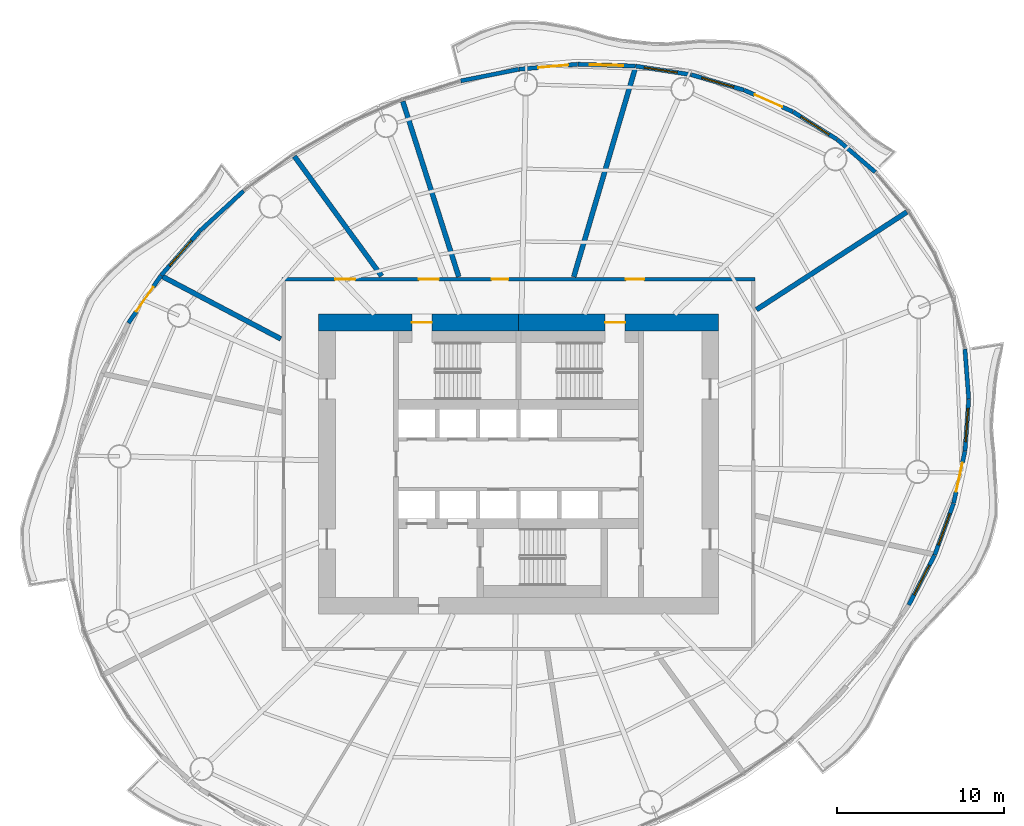
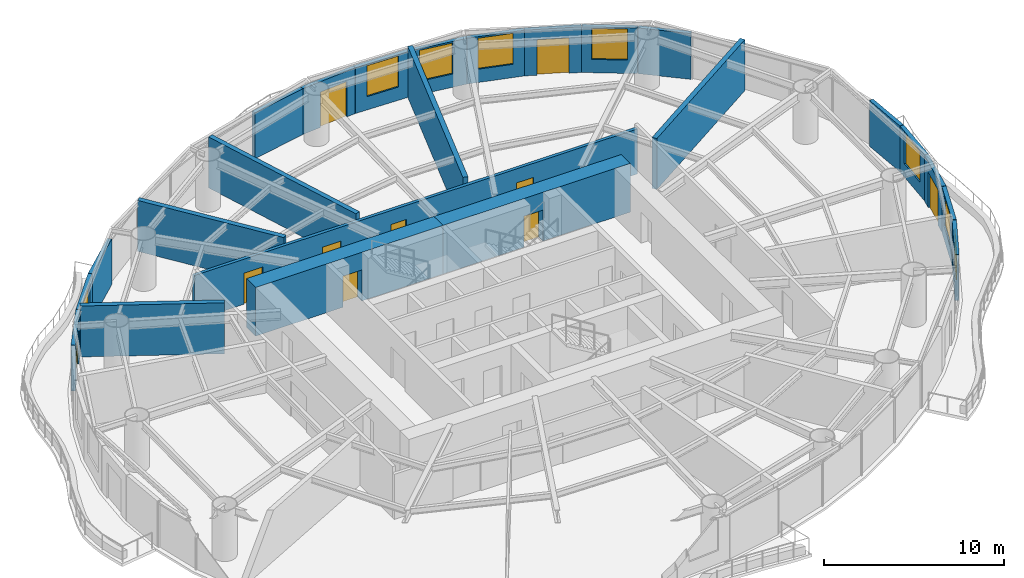
# One storey, part 10 of 14: 24 walls, 10 doors, 8 windows, 18 openings.
"""IFC4 building model written with IfcOpenShell, lengths in metres."""

from ifc_helpers import new_model, si_unit, direction, frame, frame_2d, origin, place, context, subcontext, project, spatial, rectangle, extrude, material, layer, layer_set, type_object, element, fill, save


model = new_model("IFC4")

# Units and contexts
model_context = context("Model", 3, precision=1e-05, world=origin(), true_north=direction((0.0, 1.0)))
body_context = subcontext(model_context, "Body", "Model", "MODEL_VIEW")
ifc_project = project(units=[si_unit("LENGTHUNIT", "METRE"), si_unit("AREAUNIT", "SQUARE_METRE"), si_unit("VOLUMEUNIT", "CUBIC_METRE"), si_unit("PLANEANGLEUNIT", "RADIAN"), si_unit("MASSUNIT", "GRAM", prefix="KILO")], contexts=[model_context])

# Site, building, storey
site_placement = place(None, origin())
site = spatial("IfcSite", under=ifc_project, at=site_placement, CompositionType="ELEMENT")
building_placement = place(site_placement, origin())
building = spatial("IfcBuilding", under=site, at=building_placement, Name="Vermilion Reach Broadcast Tower", CompositionType="ELEMENT")
storey_placement = place(building_placement, frame((0.0, 0.0, 143.39990234375)))
storey = spatial("IfcBuildingStorey", under=building, at=storey_placement, Name="L33", CompositionType="ELEMENT", Elevation=143.39990234375)

# Wall, opening, door
ifc_material_1 = material(Name="Concrete C70", Category="concrete")
ifc_layer_1 = layer(ifc_material_1, 1.0)
ifc_layer_set_1 = layer_set([ifc_layer_1], Name="Core outer wall 1000 mm Concrete C70")
wall_type_1 = type_object("IfcWallType", Name="Core outer wall 1000 mm Concrete C70", PredefinedType="SHEAR", material=ifc_layer_set_1)
wall_1_placement = place(storey_placement, frame((6.0, 8.5, 0.0), z_axis=(0.0, 0.0, 1.0), x_axis=(-1.0, 0.0, 0.0)))
wall_1 = element("IfcWall", 1, at=wall_1_placement, inside=storey, type_object=wall_type_1, Name="L33 core wall onE", PredefinedType="SHEAR", context=body_context, shape_type="SweptSolid", body=[
    extrude(rectangle(XDim=12.0, YDim=1.0, at=frame_2d((6.0, 0.0))), origin(), (0.0, 0.0, 1.0), 3.300048828125),
])
opening_1_placement = place(wall_1_placement, frame((5.60009765625, 0.0, 0.0)))
opening_1 = element("IfcOpeningElement", 2, at=opening_1_placement, cuts=wall_1, Name="Opening D01", PredefinedType="OPENING", context=body_context, shape_type="SweptSolid", body=[
    extrude(rectangle(XDim=1.199951171875, YDim=2.10009765625, at=frame_2d((0.60009765625, 1.050048828125))), frame((0.0, 0.510009765625, 0.0), z_axis=(0.0, -1.0, 0.0), x_axis=(1.0, 0.0, 0.0)), (0.0, 0.0, 1.0), 1.02001953125),
])
ifc_material_2 = material(Name="Painted steel fire door", Category="steel")
door_type_1 = type_object("IfcDoorType", Name="Stair door 1200 x 2100", OperationType="DOUBLE_DOOR_SINGLE_SWING", PredefinedType="NOTDEFINED", material=ifc_material_2)
door_1_placement = place(opening_1_placement, origin())
door_1 = element("IfcDoor", 3, at=door_1_placement, inside=storey, type_object=door_type_1, Name="L33 stair door ST2", OperationType="DOUBLE_DOOR_SINGLE_SWING", OverallHeight=2.10009765625, OverallWidth=1.199951171875, PredefinedType="NOTDEFINED", context=body_context, shape_type="SweptSolid", body=[
    extrude(rectangle(XDim=1.199951171875, YDim=2.10009765625, at=frame_2d((0.60009765625, 1.050048828125))), frame((0.0, 0.02490234375, 0.0), z_axis=(0.0, -1.0, 0.0), x_axis=(1.0, 0.0, 0.0)), (0.0, 0.0, 1.0), 0.050048828125),
])
fill(opening_1, door_1)

wall_2_placement = place(storey_placement, frame((-6.0, 8.5, 0.0), z_axis=(0.0, 0.0, 1.0), x_axis=(-1.0, 0.0, 0.0)))
wall_2 = element("IfcWall", 4, at=wall_2_placement, inside=storey, type_object=wall_type_1, Name="L33 core wall onW", PredefinedType="SHEAR", context=body_context, shape_type="SweptSolid", body=[
    extrude(rectangle(XDim=12.0, YDim=1.0, at=frame_2d((6.0, 0.0))), origin(), (0.0, 0.0, 1.0), 3.300048828125),
])
opening_2_placement = place(wall_2_placement, frame((5.199951171875, 0.0, 0.0)))
opening_2 = element("IfcOpeningElement", 5, at=opening_2_placement, cuts=wall_2, Name="Opening D01", PredefinedType="OPENING", context=body_context, shape_type="SweptSolid", body=[
    extrude(rectangle(XDim=1.199951171875, YDim=2.10009765625, at=frame_2d((0.60009765625, 1.050048828125))), frame((0.0, 0.510009765625, 0.0), z_axis=(0.0, -1.0, 0.0), x_axis=(1.0, 0.0, 0.0)), (0.0, 0.0, 1.0), 1.02001953125),
])
door_2_placement = place(opening_2_placement, origin())
door_2 = element("IfcDoor", 6, at=door_2_placement, inside=storey, type_object=door_type_1, Name="L33 stair door ST1", OperationType="DOUBLE_DOOR_SINGLE_SWING", OverallHeight=2.10009765625, OverallWidth=1.199951171875, PredefinedType="NOTDEFINED", context=body_context, shape_type="SweptSolid", body=[
    extrude(rectangle(XDim=1.199951171875, YDim=2.10009765625, at=frame_2d((0.60009765625, 1.050048828125))), frame((0.0, 0.02490234375, 0.0), z_axis=(0.0, -1.0, 0.0), x_axis=(1.0, 0.0, 0.0)), (0.0, 0.0, 1.0), 0.050048828125),
])
fill(opening_2, door_2)

# Walls
ifc_material_3 = material(Name="Double-leaf plasterboard on isolated steel stud", Category="steel")
ifc_layer_2 = layer(ifc_material_3, 0.300048828125)
ifc_layer_set_2 = layer_set([ifc_layer_2], Name="Partition 300 acoustic double leaf")
wall_type_2 = type_object("IfcWallType", Name="Partition 300 acoustic double leaf", PredefinedType="PARTITIONING", material=ifc_layer_set_2)
wall_3_placement = place(storey_placement, frame((17.310546875, 15.13330078125, 0.0), z_axis=(0.0, 0.0, 1.0), x_axis=(-0.838747133414, -0.544521116385, 0.0)))
element("IfcWall", 7, at=wall_3_placement, inside=storey, type_object=wall_type_2, Name="Partition 33.01", PredefinedType="PARTITIONING", context=body_context, shape_type="SweptSolid", body=[
    extrude(rectangle(XDim=10.7646484375, YDim=0.300048828125, at=frame_2d((5.38232421875, 0.0))), origin(), (0.0, 0.0, 1.0), 3.4501953125),
])
wall_4_placement = place(storey_placement, frame((1.00830078125, 23.772705078125, 0.0), z_axis=(0.0, 0.0, 1.0), x_axis=(-0.282780437721, -0.959184666288, 0.0)))
element("IfcWall", 8, at=wall_4_placement, inside=storey, type_object=wall_type_2, Name="Partition 33.02", PredefinedType="PARTITIONING", context=body_context, shape_type="SweptSolid", body=[
    extrude(rectangle(XDim=13.0634765625, YDim=0.300048828125, at=frame_2d((6.53173828125, 0.0))), origin(), (0.0, 0.0, 1.0), 3.4501953125),
])
wall_5_placement = place(storey_placement, frame((-12.948974609375, 21.777099609375, 0.0), z_axis=(0.0, 0.0, 1.0), x_axis=(0.303997528194, -0.952672820465, 0.0)))
element("IfcWall", 9, at=wall_5_placement, inside=storey, type_object=wall_type_2, Name="Partition 33.03", PredefinedType="PARTITIONING", context=body_context, shape_type="SweptSolid", body=[
    extrude(rectangle(XDim=11.0546875, YDim=0.300048828125, at=frame_2d((5.52734375, 0.0))), origin(), (0.0, 0.0, 1.0), 3.4501953125),
])
wall_6_placement = place(storey_placement, frame((-19.456298828125, 18.478515625, 0.0), z_axis=(0.0, 0.0, 1.0), x_axis=(0.588675883511, -0.808369163299, 0.0)))
element("IfcWall", 10, at=wall_6_placement, inside=storey, type_object=wall_type_2, Name="Partition 33.04", PredefinedType="PARTITIONING", context=body_context, shape_type="SweptSolid", body=[
    extrude(rectangle(XDim=8.894775390625, YDim=0.300048828125, at=frame_2d((4.447265625, 0.0))), origin(), (0.0, 0.0, 1.0), 3.4501953125),
])
wall_7_placement = place(storey_placement, frame((-27.3623046875, 11.253662109375, 0.0), z_axis=(0.0, 0.0, 1.0), x_axis=(0.884735817221, -0.466092838098, 0.0)))
element("IfcWall", 11, at=wall_7_placement, inside=storey, type_object=wall_type_2, Name="Partition 33.05", PredefinedType="PARTITIONING", context=body_context, shape_type="SweptSolid", body=[
    extrude(rectangle(XDim=8.016357421875, YDim=0.300048828125, at=frame_2d((4.00830078125, 0.0))), origin(), (0.0, 0.0, 1.0), 3.4501953125),
])
ifc_material_4 = material(Name="Terracotta rainscreen cladding", Category="masonry")
ifc_layer_3 = layer(ifc_material_4, 0.25)
ifc_layer_set_3 = layer_set([ifc_layer_3], Name="Terracotta rainscreen wall 250")
wall_type_3 = type_object("IfcWallType", Name="Terracotta rainscreen wall 250", PredefinedType="SOLIDWALL", material=ifc_layer_set_3)
wall_8_placement = place(storey_placement, frame((15.411376953125, 17.533935546875, 0.0), z_axis=(0.0, 0.0, 1.0), x_axis=(-0.75908968864, 0.650986055611, 0.0)))
element("IfcWall", 12, at=wall_8_placement, inside=storey, type_object=wall_type_3, Name="External wall L33 02", PredefinedType="SOLIDWALL", context=body_context, shape_type="SweptSolid", body=[
    extrude(rectangle(XDim=2.99462890625, YDim=0.25, at=frame_2d((1.497314453125, 0.0))), origin(), (0.0, 0.0, 1.0), 3.10009765625),
])

# Wall, opening, window
wall_9_placement = place(storey_placement, frame((13.11669921875, 19.499267578125, 0.0), z_axis=(0.0, 0.0, 1.0), x_axis=(-0.847326168921, 0.531072841954, 0.0)))
wall_9 = element("IfcWall", 13, at=wall_9_placement, inside=storey, type_object=wall_type_3, Name="External wall L33 03", PredefinedType="SOLIDWALL", context=body_context, shape_type="SweptSolid", body=[
    extrude(rectangle(XDim=3.10498046875, YDim=0.25, at=frame_2d((1.552490234375, 0.0))), origin(), (0.0, 0.0, 1.0), 3.10009765625),
])
opening_3_placement = place(wall_9_placement, frame((0.552490234375, 0.0, 0.89990234375)))
opening_3 = element("IfcOpeningElement", 14, at=opening_3_placement, cuts=wall_9, Name="Opening W03", PredefinedType="OPENING", context=body_context, shape_type="SweptSolid", body=[
    extrude(rectangle(XDim=2.0, YDim=2.10009765625, at=frame_2d((1.0, 1.050048828125))), frame((0.0, 0.135009765625, 0.0), z_axis=(0.0, -1.0, 0.0), x_axis=(1.0, 0.0, 0.0)), (0.0, 0.0, 1.0), 0.27001953125),
])
ifc_material_5 = material(Name="Low-e laminated clear glass in aluminium frame", Category="aluminium")
window_type = type_object("IfcWindowType", Name="Punched window 2000 x 2100 sill 900", PartitioningType="SINGLE_PANEL", PredefinedType="WINDOW", material=ifc_material_5)
window_1_placement = place(opening_3_placement, origin())
window_1 = element("IfcWindow", 15, at=window_1_placement, inside=storey, type_object=window_type, Name="Window L33 03", OverallHeight=2.10009765625, OverallWidth=2.0, PartitioningType="SINGLE_PANEL", PredefinedType="WINDOW", context=body_context, shape_type="SweptSolid", body=[
    extrude(rectangle(XDim=2.0, YDim=2.10009765625, at=frame_2d((1.0, 1.050048828125))), frame((0.0, 0.030029296875, 0.0), z_axis=(0.0, -1.0, 0.0), x_axis=(1.0, 0.0, 0.0)), (0.0, 0.0, 1.0), 0.06005859375),
])
fill(opening_3, window_1)

# Wall, opening, door
wall_10_placement = place(storey_placement, frame((10.463134765625, 21.160400390625, 0.0), z_axis=(0.0, 0.0, 1.0), x_axis=(-0.91407040375, 0.405555541188, 0.0)))
wall_10 = element("IfcWall", 16, at=wall_10_placement, inside=storey, type_object=wall_type_3, Name="External wall L33 04", PredefinedType="SOLIDWALL", context=body_context, shape_type="SweptSolid", body=[
    extrude(rectangle(XDim=3.18701171875, YDim=0.25, at=frame_2d((1.593505859375, 0.0))), origin(), (0.0, 0.0, 1.0), 3.10009765625),
])
opening_4_placement = place(wall_10_placement, frame((0.693115234375, 0.0, 0.0)))
opening_4 = element("IfcOpeningElement", 17, at=opening_4_placement, cuts=wall_10, Name="Opening D70", PredefinedType="OPENING", context=body_context, shape_type="SweptSolid", body=[
    extrude(rectangle(XDim=1.800048828125, YDim=2.39990234375, at=frame_2d((0.89990234375, 1.199951171875))), frame((0.0, 0.135009765625, 0.0), z_axis=(0.0, -1.0, 0.0), x_axis=(1.0, 0.0, 0.0)), (0.0, 0.0, 1.0), 0.27001953125),
])
ifc_material_6 = material(Name="Low-e laminated clear glass in aluminium frame", Category="aluminium")
door_type_2 = type_object("IfcDoorType", Name="Balcony sliding door 1800 x 2400", OperationType="DOUBLE_DOOR_SLIDING", PredefinedType="DOOR", material=ifc_material_6)
door_3_placement = place(opening_4_placement, origin())
door_3 = element("IfcDoor", 18, at=door_3_placement, inside=storey, type_object=door_type_2, Name="Balcony door L33 run 01", OperationType="DOUBLE_DOOR_SLIDING", OverallHeight=2.39990234375, OverallWidth=1.800048828125, PredefinedType="DOOR", context=body_context, shape_type="SweptSolid", body=[
    extrude(rectangle(XDim=1.800048828125, YDim=2.39990234375, at=frame_2d((0.89990234375, 1.199951171875))), frame((0.0, 0.02490234375, 0.0), z_axis=(0.0, -1.0, 0.0), x_axis=(1.0, 0.0, 0.0)), (0.0, 0.0, 1.0), 0.050048828125),
])
fill(opening_4, door_3)

# Wall, opening, window
wall_11_placement = place(storey_placement, frame((7.526611328125, 22.461181640625, 0.0), z_axis=(0.0, 0.0, 1.0), x_axis=(-0.960393845313, 0.278646123041, 0.0)))
wall_11 = element("IfcWall", 19, at=wall_11_placement, inside=storey, type_object=wall_type_3, Name="External wall L33 05", PredefinedType="SOLIDWALL", context=body_context, shape_type="SweptSolid", body=[
    extrude(rectangle(XDim=3.27587890625, YDim=0.25, at=frame_2d((1.637939453125, 0.0))), origin(), (0.0, 0.0, 1.0), 3.10009765625),
])
opening_5_placement = place(wall_11_placement, frame((0.637939453125, 0.0, 0.89990234375)))
opening_5 = element("IfcOpeningElement", 20, at=opening_5_placement, cuts=wall_11, Name="Opening W03", PredefinedType="OPENING", context=body_context, shape_type="SweptSolid", body=[
    extrude(rectangle(XDim=2.0, YDim=2.10009765625, at=frame_2d((1.0, 1.050048828125))), frame((0.0, 0.135009765625, 0.0), z_axis=(0.0, -1.0, 0.0), x_axis=(1.0, 0.0, 0.0)), (0.0, 0.0, 1.0), 0.27001953125),
])
window_2_placement = place(opening_5_placement, origin())
window_2 = element("IfcWindow", 21, at=window_2_placement, inside=storey, type_object=window_type, Name="Window L33 05", OverallHeight=2.10009765625, OverallWidth=2.0, PartitioningType="SINGLE_PANEL", PredefinedType="WINDOW", context=body_context, shape_type="SweptSolid", body=[
    extrude(rectangle(XDim=2.0, YDim=2.10009765625, at=frame_2d((1.0, 1.050048828125))), frame((0.0, 0.030029296875, 0.0), z_axis=(0.0, -1.0, 0.0), x_axis=(1.0, 0.0, 0.0)), (0.0, 0.0, 1.0), 0.06005859375),
])
fill(opening_5, window_2)

wall_12_placement = place(storey_placement, frame((4.35693359375, 23.379150390625, 0.0), z_axis=(0.0, 0.0, 1.0), x_axis=(-0.988171249995, 0.153354428314, 0.0)))
wall_12 = element("IfcWall", 22, at=wall_12_placement, inside=storey, type_object=wall_type_3, Name="External wall L33 06", PredefinedType="SOLIDWALL", context=body_context, shape_type="SweptSolid", body=[
    extrude(rectangle(XDim=3.365478515625, YDim=0.25, at=frame_2d((1.6826171875, 0.0))), origin(), (0.0, 0.0, 1.0), 3.10009765625),
])
opening_6_placement = place(wall_12_placement, frame((0.8330078125, 0.0, 0.89990234375)))
opening_6 = element("IfcOpeningElement", 23, at=opening_6_placement, cuts=wall_12, Name="Opening W03", PredefinedType="OPENING", context=body_context, shape_type="SweptSolid", body=[
    extrude(rectangle(XDim=2.0, YDim=2.10009765625, at=frame_2d((1.0, 1.050048828125))), frame((0.0, 0.135009765625, 0.0), z_axis=(0.0, -1.0, 0.0), x_axis=(1.0, 0.0, 0.0)), (0.0, 0.0, 1.0), 0.27001953125),
])
window_3_placement = place(opening_6_placement, origin())
window_3 = element("IfcWindow", 24, at=window_3_placement, inside=storey, type_object=window_type, Name="Window L33 06", OverallHeight=2.10009765625, OverallWidth=2.0, PartitioningType="SINGLE_PANEL", PredefinedType="WINDOW", context=body_context, shape_type="SweptSolid", body=[
    extrude(rectangle(XDim=2.0, YDim=2.10009765625, at=frame_2d((1.0, 1.050048828125))), frame((0.0, 0.030029296875, 0.0), z_axis=(0.0, -1.0, 0.0), x_axis=(1.0, 0.0, 0.0)), (0.0, 0.0, 1.0), 0.06005859375),
])
fill(opening_6, window_3)

wall_13_placement = place(storey_placement, frame((1.008056640625, 23.8974609375, 0.0), z_axis=(0.0, 0.0, 1.0), x_axis=(-0.999495013577, 0.031776057572, 0.0)))
wall_13 = element("IfcWall", 25, at=wall_13_placement, inside=storey, type_object=wall_type_3, Name="External wall L33 07", PredefinedType="SOLIDWALL", context=body_context, shape_type="SweptSolid", body=[
    extrude(rectangle(XDim=3.44970703125, YDim=0.25, at=frame_2d((1.724853515625, 0.0))), origin(), (0.0, 0.0, 1.0), 3.10009765625),
])
opening_7_placement = place(wall_13_placement, frame((0.724853515625, 0.0, 0.89990234375)))
opening_7 = element("IfcOpeningElement", 26, at=opening_7_placement, cuts=wall_13, Name="Opening W03", PredefinedType="OPENING", context=body_context, shape_type="SweptSolid", body=[
    extrude(rectangle(XDim=2.0, YDim=2.10009765625, at=frame_2d((1.0, 1.050048828125))), frame((0.0, 0.135009765625, 0.0), z_axis=(0.0, -1.0, 0.0), x_axis=(1.0, 0.0, 0.0)), (0.0, 0.0, 1.0), 0.27001953125),
])
window_4_placement = place(opening_7_placement, origin())
window_4 = element("IfcWindow", 27, at=window_4_placement, inside=storey, type_object=window_type, Name="Window L33 07", OverallHeight=2.10009765625, OverallWidth=2.0, PartitioningType="SINGLE_PANEL", PredefinedType="WINDOW", context=body_context, shape_type="SweptSolid", body=[
    extrude(rectangle(XDim=2.0, YDim=2.10009765625, at=frame_2d((1.0, 1.050048828125))), frame((0.0, 0.030029296875, 0.0), z_axis=(0.0, -1.0, 0.0), x_axis=(1.0, 0.0, 0.0)), (0.0, 0.0, 1.0), 0.06005859375),
])
fill(opening_7, window_4)

# Wall, opening, door
wall_14_placement = place(storey_placement, frame((-2.462646484375, 24.006591796875, 0.0), z_axis=(0.0, 0.0, 1.0), x_axis=(-0.996379423163, -0.085017910447, 0.0)))
wall_14 = element("IfcWall", 28, at=wall_14_placement, inside=storey, type_object=wall_type_3, Name="External wall L33 08", PredefinedType="SOLIDWALL", context=body_context, shape_type="SweptSolid", body=[
    extrude(rectangle(XDim=3.5234375, YDim=0.25, at=frame_2d((1.76171875, 0.0))), origin(), (0.0, 0.0, 1.0), 3.10009765625),
])
opening_8_placement = place(wall_14_placement, frame((0.56201171875, 0.0, 0.0)))
opening_8 = element("IfcOpeningElement", 29, at=opening_8_placement, cuts=wall_14, Name="Opening D70", PredefinedType="OPENING", context=body_context, shape_type="SweptSolid", body=[
    extrude(rectangle(XDim=1.800048828125, YDim=2.39990234375, at=frame_2d((0.89990234375, 1.199951171875))), frame((0.0, 0.135009765625, 0.0), z_axis=(0.0, -1.0, 0.0), x_axis=(1.0, 0.0, 0.0)), (0.0, 0.0, 1.0), 0.27001953125),
])
door_4_placement = place(opening_8_placement, origin())
door_4 = element("IfcDoor", 30, at=door_4_placement, inside=storey, type_object=door_type_2, Name="Balcony door L33 run 02", OperationType="DOUBLE_DOOR_SLIDING", OverallHeight=2.39990234375, OverallWidth=1.800048828125, PredefinedType="DOOR", context=body_context, shape_type="SweptSolid", body=[
    extrude(rectangle(XDim=1.800048828125, YDim=2.39990234375, at=frame_2d((0.89990234375, 1.199951171875))), frame((0.0, 0.02490234375, 0.0), z_axis=(0.0, -1.0, 0.0), x_axis=(1.0, 0.0, 0.0)), (0.0, 0.0, 1.0), 0.050048828125),
])
fill(opening_8, door_4)

# Walls
for number, where, z_axis, x_axis, name in (
    (31, (-5.995361328125, 23.703857421875, 0.0), (0.0, 0.0, 1.0), (-0.980503643001, -0.196500906007, 0.0), "External wall L33 09"),
    (32, (-22.509033203125, 16.396484375, 0.0), (0.0, 0.0, 1.0), (-0.738164269097, -0.67462101348, 0.0), "External wall L33 14"),
):
    element("IfcWall", number, at=place(storey_placement, frame(where, z_axis=z_axis, x_axis=x_axis)), inside=storey, type_object=wall_type_3, Name=name, PredefinedType="SOLIDWALL", context=body_context, shape_type="SweptSolid", body=[
        extrude(rectangle(XDim=3.53857421875, YDim=0.25, at=frame_2d((1.769287109375, 0.0))), origin(), (0.0, 0.0, 1.0), 3.10009765625),
    ])

# Wall, opening, window
wall_15_placement = place(storey_placement, frame((-25.136474609375, 13.993408203125, 0.0), z_axis=(0.0, 0.0, 1.0), x_axis=(-0.657606469368, -0.753361620634, 0.0)))
wall_15 = element("IfcWall", 33, at=wall_15_placement, inside=storey, type_object=wall_type_3, Name="External wall L33 15", PredefinedType="SOLIDWALL", context=body_context, shape_type="SweptSolid", body=[
    extrude(rectangle(XDim=3.523681640625, YDim=0.25, at=frame_2d((1.76171875, 0.0))), origin(), (0.0, 0.0, 1.0), 3.10009765625),
])
opening_9_placement = place(wall_15_placement, frame((0.76171875, 0.0, 0.89990234375)))
opening_9 = element("IfcOpeningElement", 34, at=opening_9_placement, cuts=wall_15, Name="Opening W03", PredefinedType="OPENING", context=body_context, shape_type="SweptSolid", body=[
    extrude(rectangle(XDim=2.0, YDim=2.10009765625, at=frame_2d((1.0, 1.050048828125))), frame((0.0, 0.135009765625, 0.0), z_axis=(0.0, -1.0, 0.0), x_axis=(1.0, 0.0, 0.0)), (0.0, 0.0, 1.0), 0.27001953125),
])
window_5_placement = place(opening_9_placement, origin())
window_5 = element("IfcWindow", 35, at=window_5_placement, inside=storey, type_object=window_type, Name="Window L33 15", OverallHeight=2.10009765625, OverallWidth=2.0, PartitioningType="SINGLE_PANEL", PredefinedType="WINDOW", context=body_context, shape_type="SweptSolid", body=[
    extrude(rectangle(XDim=2.0, YDim=2.10009765625, at=frame_2d((1.0, 1.050048828125))), frame((0.0, 0.030029296875, 0.0), z_axis=(0.0, -1.0, 0.0), x_axis=(1.0, 0.0, 0.0)), (0.0, 0.0, 1.0), 0.06005859375),
])
fill(opening_9, window_5)

# Wall, opening, door
wall_16_placement = place(storey_placement, frame((-27.467529296875, 11.321044921875, 0.0), z_axis=(0.0, 0.0, 1.0), x_axis=(-0.565221630216, -0.824939093956, 0.0)))
wall_16 = element("IfcWall", 36, at=wall_16_placement, inside=storey, type_object=wall_type_3, Name="External wall L33 16", PredefinedType="SOLIDWALL", context=body_context, shape_type="SweptSolid", body=[
    extrude(rectangle(XDim=3.449951171875, YDim=0.25, at=frame_2d((1.72509765625, 0.0))), origin(), (0.0, 0.0, 1.0), 3.10009765625),
])
opening_10_placement = place(wall_16_placement, frame((0.824951171875, 0.0, 0.0)))
opening_10 = element("IfcOpeningElement", 37, at=opening_10_placement, cuts=wall_16, Name="Opening D70", PredefinedType="OPENING", context=body_context, shape_type="SweptSolid", body=[
    extrude(rectangle(XDim=1.800048828125, YDim=2.39990234375, at=frame_2d((0.89990234375, 1.199951171875))), frame((0.0, 0.135009765625, 0.0), z_axis=(0.0, -1.0, 0.0), x_axis=(1.0, 0.0, 0.0)), (0.0, 0.0, 1.0), 0.27001953125),
])
door_5_placement = place(opening_10_placement, origin())
door_5 = element("IfcDoor", 38, at=door_5_placement, inside=storey, type_object=door_type_2, Name="Balcony door L33 run 04", OperationType="DOUBLE_DOOR_SLIDING", OverallHeight=2.39990234375, OverallWidth=1.800048828125, PredefinedType="DOOR", context=body_context, shape_type="SweptSolid", body=[
    extrude(rectangle(XDim=1.800048828125, YDim=2.39990234375, at=frame_2d((0.89990234375, 1.199951171875))), frame((0.0, 0.02490234375, 0.0), z_axis=(0.0, -1.0, 0.0), x_axis=(1.0, 0.0, 0.0)), (0.0, 0.0, 1.0), 0.050048828125),
])
fill(opening_10, door_5)

# Wall, opening, window
wall_17_placement = place(storey_placement, frame((17.429443359375, -8.455078125, 0.0), z_axis=(0.0, 0.0, 1.0), x_axis=(0.460482311848, 0.887668879975, 0.0)))
wall_17 = element("IfcWall", 39, at=wall_17_placement, inside=storey, type_object=wall_type_3, Name="External wall L33 41", PredefinedType="SOLIDWALL", context=body_context, shape_type="SweptSolid", body=[
    extrude(rectangle(XDim=3.36572265625, YDim=0.25, at=frame_2d((1.682861328125, 0.0))), origin(), (0.0, 0.0, 1.0), 3.10009765625),
])
opening_11_placement = place(wall_17_placement, frame((0.682861328125, 0.0, 0.89990234375)))
opening_11 = element("IfcOpeningElement", 40, at=opening_11_placement, cuts=wall_17, Name="Opening W03", PredefinedType="OPENING", context=body_context, shape_type="SweptSolid", body=[
    extrude(rectangle(XDim=2.0, YDim=2.10009765625, at=frame_2d((1.0, 1.050048828125))), frame((0.0, 0.135009765625, 0.0), z_axis=(0.0, -1.0, 0.0), x_axis=(1.0, 0.0, 0.0)), (0.0, 0.0, 1.0), 0.27001953125),
])
window_6_placement = place(opening_11_placement, origin())
window_6 = element("IfcWindow", 41, at=window_6_placement, inside=storey, type_object=window_type, Name="Window L33 41", OverallHeight=2.10009765625, OverallWidth=2.0, PartitioningType="SINGLE_PANEL", PredefinedType="WINDOW", context=body_context, shape_type="SweptSolid", body=[
    extrude(rectangle(XDim=2.0, YDim=2.10009765625, at=frame_2d((1.0, 1.050048828125))), frame((0.0, 0.030029296875, 0.0), z_axis=(0.0, -1.0, 0.0), x_axis=(1.0, 0.0, 0.0)), (0.0, 0.0, 1.0), 0.06005859375),
])
fill(opening_11, window_6)

wall_18_placement = place(storey_placement, frame((18.98876953125, -5.445556640625, 0.0), z_axis=(0.0, 0.0, 1.0), x_axis=(0.343106975728, 0.939296334075, 0.0)))
wall_18 = element("IfcWall", 42, at=wall_18_placement, inside=storey, type_object=wall_type_3, Name="External wall L33 42", PredefinedType="SOLIDWALL", context=body_context, shape_type="SweptSolid", body=[
    extrude(rectangle(XDim=3.276123046875, YDim=0.25, at=frame_2d((1.63818359375, 0.0))), origin(), (0.0, 0.0, 1.0), 3.10009765625),
])
opening_12_placement = place(wall_18_placement, frame((0.637939453125, 0.0, 0.89990234375)))
opening_12 = element("IfcOpeningElement", 43, at=opening_12_placement, cuts=wall_18, Name="Opening W03", PredefinedType="OPENING", context=body_context, shape_type="SweptSolid", body=[
    extrude(rectangle(XDim=2.0, YDim=2.10009765625, at=frame_2d((1.0, 1.050048828125))), frame((0.0, 0.135009765625, 0.0), z_axis=(0.0, -1.0, 0.0), x_axis=(1.0, 0.0, 0.0)), (0.0, 0.0, 1.0), 0.27001953125),
])
window_7_placement = place(opening_12_placement, origin())
window_7 = element("IfcWindow", 44, at=window_7_placement, inside=storey, type_object=window_type, Name="Window L33 42", OverallHeight=2.10009765625, OverallWidth=2.0, PartitioningType="SINGLE_PANEL", PredefinedType="WINDOW", context=body_context, shape_type="SweptSolid", body=[
    extrude(rectangle(XDim=2.0, YDim=2.10009765625, at=frame_2d((1.0, 1.050048828125))), frame((0.0, 0.030029296875, 0.0), z_axis=(0.0, -1.0, 0.0), x_axis=(1.0, 0.0, 0.0)), (0.0, 0.0, 1.0), 0.06005859375),
])
fill(opening_12, window_7)

# Wall, opening, door
wall_19_placement = place(storey_placement, frame((20.11962890625, -2.344482421875, 0.0), z_axis=(0.0, 0.0, 1.0), x_axis=(0.213278759663, 0.976991387207, 0.0)))
wall_19 = element("IfcWall", 45, at=wall_19_placement, inside=storey, type_object=wall_type_3, Name="External wall L33 43", PredefinedType="SOLIDWALL", context=body_context, shape_type="SweptSolid", body=[
    extrude(rectangle(XDim=3.186767578125, YDim=0.25, at=frame_2d((1.59326171875, 0.0))), origin(), (0.0, 0.0, 1.0), 3.10009765625),
])
opening_13_placement = place(wall_19_placement, frame((0.693115234375, 0.0, 0.0)))
opening_13 = element("IfcOpeningElement", 46, at=opening_13_placement, cuts=wall_19, Name="Opening D70", PredefinedType="OPENING", context=body_context, shape_type="SweptSolid", body=[
    extrude(rectangle(XDim=1.800048828125, YDim=2.39990234375, at=frame_2d((0.89990234375, 1.199951171875))), frame((0.0, 0.135009765625, 0.0), z_axis=(0.0, -1.0, 0.0), x_axis=(1.0, 0.0, 0.0)), (0.0, 0.0, 1.0), 0.27001953125),
])
door_6_placement = place(opening_13_placement, origin())
door_6 = element("IfcDoor", 47, at=door_6_placement, inside=storey, type_object=door_type_2, Name="Balcony door L33 run 11", OperationType="DOUBLE_DOOR_SLIDING", OverallHeight=2.39990234375, OverallWidth=1.800048828125, PredefinedType="DOOR", context=body_context, shape_type="SweptSolid", body=[
    extrude(rectangle(XDim=1.800048828125, YDim=2.39990234375, at=frame_2d((0.89990234375, 1.199951171875))), frame((0.0, 0.02490234375, 0.0), z_axis=(0.0, -1.0, 0.0), x_axis=(1.0, 0.0, 0.0)), (0.0, 0.0, 1.0), 0.050048828125),
])
fill(opening_13, door_6)

# Wall, opening, window
wall_20_placement = place(storey_placement, frame((20.802978515625, 0.79443359375, 0.0), z_axis=(0.0, 0.0, 1.0), x_axis=(0.072576937858, 0.997362816678, 0.0)))
wall_20 = element("IfcWall", 48, at=wall_20_placement, inside=storey, type_object=wall_type_3, Name="External wall L33 44", PredefinedType="SOLIDWALL", context=body_context, shape_type="SweptSolid", body=[
    extrude(rectangle(XDim=3.10498046875, YDim=0.25, at=frame_2d((1.552490234375, 0.0))), origin(), (0.0, 0.0, 1.0), 3.10009765625),
])
opening_14_placement = place(wall_20_placement, frame((0.552490234375, 0.0, 0.89990234375)))
opening_14 = element("IfcOpeningElement", 49, at=opening_14_placement, cuts=wall_20, Name="Opening W03", PredefinedType="OPENING", context=body_context, shape_type="SweptSolid", body=[
    extrude(rectangle(XDim=2.0, YDim=2.10009765625, at=frame_2d((1.0, 1.050048828125))), frame((0.0, 0.135009765625, 0.0), z_axis=(0.0, -1.0, 0.0), x_axis=(1.0, 0.0, 0.0)), (0.0, 0.0, 1.0), 0.27001953125),
])
window_8_placement = place(opening_14_placement, origin())
window_8 = element("IfcWindow", 50, at=window_8_placement, inside=storey, type_object=window_type, Name="Window L33 44", OverallHeight=2.10009765625, OverallWidth=2.0, PartitioningType="SINGLE_PANEL", PredefinedType="WINDOW", context=body_context, shape_type="SweptSolid", body=[
    extrude(rectangle(XDim=2.0, YDim=2.10009765625, at=frame_2d((1.0, 1.050048828125))), frame((0.0, 0.030029296875, 0.0), z_axis=(0.0, -1.0, 0.0), x_axis=(1.0, 0.0, 0.0)), (0.0, 0.0, 1.0), 0.06005859375),
])
fill(opening_14, window_8)

# Wall
wall_21_placement = place(storey_placement, frame((21.0283203125, 3.917724609375, 0.0), z_axis=(0.0, 0.0, 1.0), x_axis=(-0.076384798739, 0.997078413427, 0.0)))
element("IfcWall", 51, at=wall_21_placement, inside=storey, type_object=wall_type_3, Name="External wall L33 45", PredefinedType="SOLIDWALL", context=body_context, shape_type="SweptSolid", body=[
    extrude(rectangle(XDim=2.994873046875, YDim=0.25, at=frame_2d((1.49755859375, 0.0))), origin(), (0.0, 0.0, 1.0), 3.10009765625),
])

# Wall, openings, doors
ifc_material_7 = material(Name="Fire-rated gypsum board partition")
ifc_layer_4 = layer(ifc_material_7, 0.199951171875)
ifc_layer_set_4 = layer_set([ifc_layer_4], Name="Under girder: Corridor wall 200 fire-rated")
wall_type_4 = type_object("IfcWallType", Name="Under girder: Corridor wall 200 fire-rated", PredefinedType="PARTITIONING", material=ifc_layer_set_4)
wall_22_placement = place(storey_placement, frame((-20.199951171875, 11.10009765625, 0.0), z_axis=(0.0, 0.0, 1.0), x_axis=(1.0, 0.0, 0.0)))
wall_22 = element("IfcWall", 52, at=wall_22_placement, inside=storey, type_object=wall_type_4, Name="Corridor wall 33.N", PredefinedType="PARTITIONING", context=body_context, shape_type="SweptSolid", body=[
    extrude(rectangle(XDim=28.39990234375, YDim=0.199951171875, at=frame_2d((14.199951171875, 0.0))), origin(), (0.0, 0.0, 1.0), 3.050048828125),
])
opening_15_placement = place(wall_22_placement, frame((20.641357421875, 0.0, 0.0)))
opening_15 = element("IfcOpeningElement", 53, at=opening_15_placement, cuts=wall_22, Name="Opening D28", PredefinedType="OPENING", context=body_context, shape_type="SweptSolid", body=[
    extrude(rectangle(XDim=1.10009765625, YDim=2.10009765625, at=frame_2d((0.550048828125, 1.050048828125))), frame((0.0, 0.10986328125, 0.0), z_axis=(0.0, -1.0, 0.0), x_axis=(1.0, 0.0, 0.0)), (0.0, 0.0, 1.0), 0.219970703125),
])
opening_16_placement = place(wall_22_placement, frame((12.5888671875, 0.0, 0.0)))
opening_16 = element("IfcOpeningElement", 54, at=opening_16_placement, cuts=wall_22, Name="Opening D20", PredefinedType="OPENING", context=body_context, shape_type="SweptSolid", body=[
    extrude(rectangle(XDim=1.0, YDim=2.10009765625, at=frame_2d((0.5, 1.050048828125))), frame((0.0, 0.10986328125, 0.0), z_axis=(0.0, -1.0, 0.0), x_axis=(1.0, 0.0, 0.0)), (0.0, 0.0, 1.0), 0.219970703125),
])
opening_17_placement = place(wall_22_placement, frame((8.21142578125, 0.0, 0.0)))
opening_17 = element("IfcOpeningElement", 55, at=opening_17_placement, cuts=wall_22, Name="Opening D26", PredefinedType="OPENING", context=body_context, shape_type="SweptSolid", body=[
    extrude(rectangle(XDim=1.199951171875, YDim=2.10009765625, at=frame_2d((0.60009765625, 1.050048828125))), frame((0.0, 0.10986328125, 0.0), z_axis=(0.0, -1.0, 0.0), x_axis=(1.0, 0.0, 0.0)), (0.0, 0.0, 1.0), 0.219970703125),
])
opening_18_placement = place(wall_22_placement, frame((3.19091796875, 0.0, 0.0)))
opening_18 = element("IfcOpeningElement", 56, at=opening_18_placement, cuts=wall_22, Name="Opening D26", PredefinedType="OPENING", context=body_context, shape_type="SweptSolid", body=[
    extrude(rectangle(XDim=1.199951171875, YDim=2.10009765625, at=frame_2d((0.60009765625, 1.050048828125))), frame((0.0, 0.10986328125, 0.0), z_axis=(0.0, -1.0, 0.0), x_axis=(1.0, 0.0, 0.0)), (0.0, 0.0, 1.0), 0.219970703125),
])
ifc_material_8 = material(Name="Timber door leaf", Category="wood")
door_type_3 = type_object("IfcDoorType", Name="Door single 1000x2100", OperationType="NOTDEFINED", PredefinedType="DOOR", material=ifc_material_8)
door_7_placement = place(opening_16_placement, origin())
door_7 = element("IfcDoor", 57, at=door_7_placement, inside=storey, type_object=door_type_3, Name="Door 33.02", OperationType="SINGLE_SWING_LEFT", OverallHeight=2.10009765625, OverallWidth=1.0, PredefinedType="DOOR", context=body_context, shape_type="SweptSolid", body=[
    extrude(rectangle(XDim=1.0, YDim=2.10009765625, at=frame_2d((0.5, 1.050048828125))), frame((0.0, 0.02490234375, 0.0), z_axis=(0.0, -1.0, 0.0), x_axis=(1.0, 0.0, 0.0)), (0.0, 0.0, 1.0), 0.050048828125),
])
fill(opening_16, door_7)
ifc_material_9 = material(Name="Acoustic sound-lock door leaf")
door_type_4 = type_object("IfcDoorType", Name="Door single 1100x2100", OperationType="NOTDEFINED", PredefinedType="DOOR", material=ifc_material_9)
door_8_placement = place(opening_15_placement, origin())
door_8 = element("IfcDoor", 58, at=door_8_placement, inside=storey, type_object=door_type_4, Name="Door 33.01", OperationType="SINGLE_SWING_LEFT", OverallHeight=2.10009765625, OverallWidth=1.10009765625, PredefinedType="DOOR", context=body_context, shape_type="SweptSolid", body=[
    extrude(rectangle(XDim=1.10009765625, YDim=2.10009765625, at=frame_2d((0.550048828125, 1.050048828125))), frame((0.0, 0.02490234375, 0.0), z_axis=(0.0, -1.0, 0.0), x_axis=(1.0, 0.0, 0.0)), (0.0, 0.0, 1.0), 0.050048828125),
])
fill(opening_15, door_8)
ifc_material_10 = material(Name="Acoustic timber door leaf", Category="wood")
door_type_5 = type_object("IfcDoorType", Name="Door single 1200x2100", OperationType="NOTDEFINED", PredefinedType="DOOR", material=ifc_material_10)
door_9_placement = place(opening_17_placement, origin())
door_9 = element("IfcDoor", 59, at=door_9_placement, inside=storey, type_object=door_type_5, Name="Door 33.03", OperationType="SINGLE_SWING_RIGHT", OverallHeight=2.10009765625, OverallWidth=1.199951171875, PredefinedType="DOOR", context=body_context, shape_type="SweptSolid", body=[
    extrude(rectangle(XDim=1.199951171875, YDim=2.10009765625, at=frame_2d((0.60009765625, 1.050048828125))), frame((0.0, 0.02490234375, 0.0), z_axis=(0.0, -1.0, 0.0), x_axis=(1.0, 0.0, 0.0)), (0.0, 0.0, 1.0), 0.050048828125),
])
fill(opening_17, door_9)
door_10_placement = place(opening_18_placement, origin())
door_10 = element("IfcDoor", 60, at=door_10_placement, inside=storey, type_object=door_type_5, Name="Door 33.04", OperationType="SINGLE_SWING_RIGHT", OverallHeight=2.10009765625, OverallWidth=1.199951171875, PredefinedType="DOOR", context=body_context, shape_type="SweptSolid", body=[
    extrude(rectangle(XDim=1.199951171875, YDim=2.10009765625, at=frame_2d((0.60009765625, 1.050048828125))), frame((0.0, 0.02490234375, 0.0), z_axis=(0.0, -1.0, 0.0), x_axis=(1.0, 0.0, 0.0)), (0.0, 0.0, 1.0), 0.050048828125),
])
fill(opening_18, door_10)

save(model, "model.ifc")
